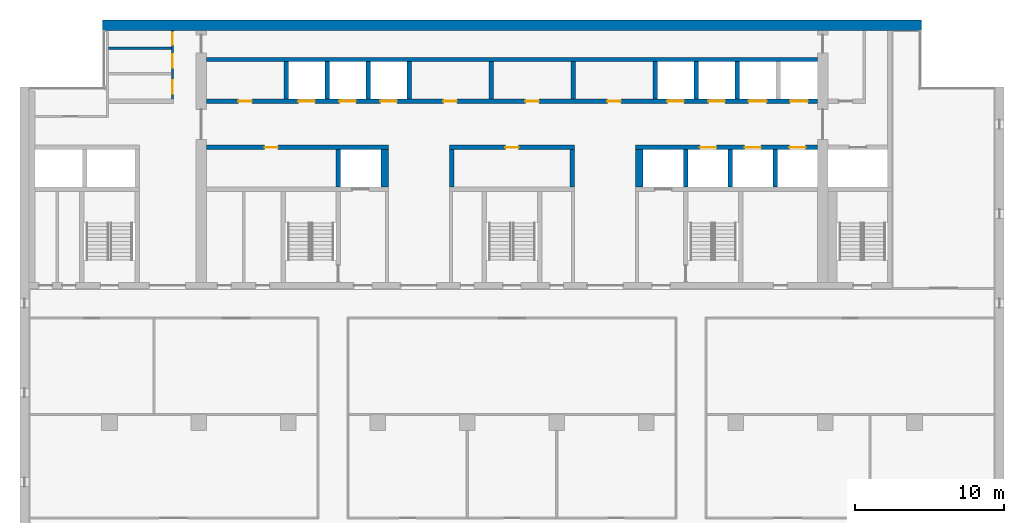
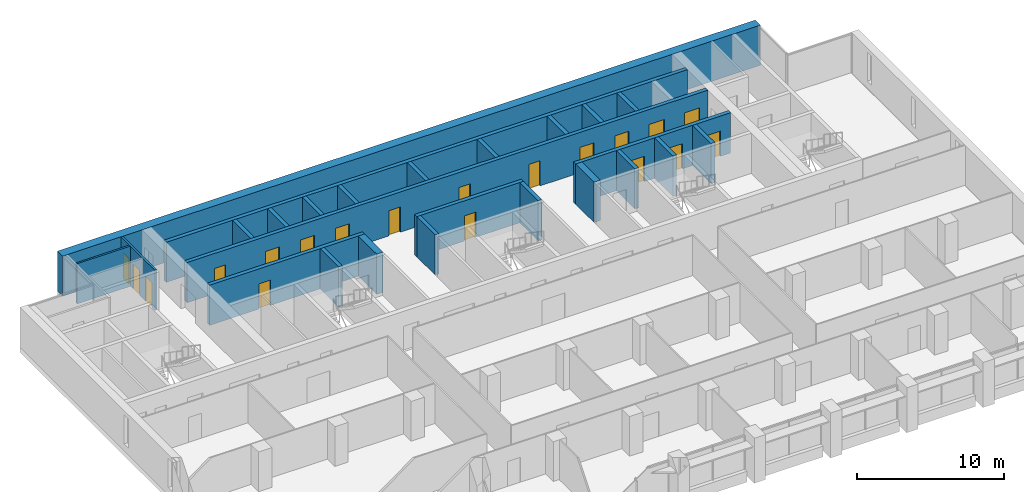
# One storey, part 11 of 17: 25 walls, 19 doors, 19 openings.
"""IFC4 building model written with IfcOpenShell, lengths in metres."""

from ifc_helpers import new_model, si_unit, direction, frame, frame_2d, origin, place, context, subcontext, project, spatial, rectangle, extrude, material, layer, layer_set, type_object, element, fill, save


model = new_model("IFC4")

# Units and contexts
model_context = context("Model", 3, precision=1e-05, world=origin(), true_north=direction((0.0, 1.0)))
body_context = subcontext(model_context, "Body", "Model", "MODEL_VIEW")
ifc_project = project(units=[si_unit("LENGTHUNIT", "METRE"), si_unit("AREAUNIT", "SQUARE_METRE"), si_unit("VOLUMEUNIT", "CUBIC_METRE"), si_unit("PLANEANGLEUNIT", "RADIAN"), si_unit("MASSUNIT", "GRAM", prefix="KILO")], contexts=[model_context])

# Site, building, storey
site_placement = place(None, origin())
site = spatial("IfcSite", under=ifc_project, at=site_placement, CompositionType="ELEMENT")
building_placement = place(site_placement, origin())
building = spatial("IfcBuilding", under=site, at=building_placement, Name="Calvaro Tower", CompositionType="ELEMENT")
storey_placement = place(building_placement, frame((0.0, 0.0, 204.25)))
storey = spatial("IfcBuildingStorey", under=building, at=storey_placement, Name="L51", CompositionType="ELEMENT", Elevation=204.25)

# Wall
ifc_material_1 = material(Name="Blockwork partition", Category="masonry")
ifc_layer_1 = layer(ifc_material_1, 0.14990234375)
ifc_layer_set_1 = layer_set([ifc_layer_1], Name="Blockwork partition")
wall_type_1 = type_object("IfcWallType", Name="Core partition 150 EI 60", PredefinedType="PARTITIONING", material=ifc_layer_set_1)
wall_1_placement = place(storey_placement, frame((11.949951171875, 44.10009765625, 0.0), z_axis=(0.0, 0.0, 1.0), x_axis=(1.0, 0.0, 0.0)))
element("IfcWall", 1, at=wall_1_placement, inside=storey, type_object=wall_type_1, Name="Core partition", PredefinedType="PARTITIONING", context=body_context, shape_type="SweptSolid", body=[
    extrude(rectangle(XDim=4.199951171875, YDim=0.14990234375, at=frame_2d((2.10009765625, 0.0))), origin(), (0.0, 0.0, 1.0), 3.35009765625),
])

# Wall, openings, doors
ifc_material_2 = material(Name="Blockwork partition", Category="masonry")
ifc_layer_2 = layer(ifc_material_2, 0.14990234375)
ifc_layer_set_2 = layer_set([ifc_layer_2], Name="Blockwork partition")
wall_type_2 = type_object("IfcWallType", Name="Core partition 150 REI 120", PredefinedType="PARTITIONING", material=ifc_layer_set_2)
wall_2_placement = place(storey_placement, frame((16.22509765625, 45.300048828125, 0.0), z_axis=(0.0, 0.0, 1.0), x_axis=(0.0, -1.0, 0.0)))
wall_2 = element("IfcWall", 2, at=wall_2_placement, inside=storey, type_object=wall_type_2, Name="Core partition", PredefinedType="PARTITIONING", context=body_context, shape_type="SweptSolid", body=[
    extrude(rectangle(XDim=4.60009765625, YDim=0.14990234375, at=frame_2d((2.300048828125, 0.0))), origin(), (0.0, 0.0, 1.0), 3.35009765625),
])
opening_1_placement = place(wall_2_placement, frame((3.33740234375, 0.0, 0.0)))
opening_1 = element("IfcOpeningElement", 3, at=opening_1_placement, cuts=wall_2, Name="Opening RD9", PredefinedType="OPENING", context=body_context, shape_type="SweptSolid", body=[
    extrude(rectangle(XDim=0.89990234375, YDim=2.10009765625, at=frame_2d((0.449951171875, 1.050048828125))), frame((0.0, 0.0849609375, 0.0), z_axis=(0.0, -1.0, 0.0), x_axis=(1.0, 0.0, 0.0)), (0.0, 0.0, 1.0), 0.169921875),
])
opening_2_placement = place(wall_2_placement, frame((1.60009765625, 0.0, 0.0)))
opening_2 = element("IfcOpeningElement", 4, at=opening_2_placement, cuts=wall_2, Name="Opening RD9", PredefinedType="OPENING", context=body_context, shape_type="SweptSolid", body=[
    extrude(rectangle(XDim=0.89990234375, YDim=2.10009765625, at=frame_2d((0.449951171875, 1.050048828125))), frame((0.0, 0.0849609375, 0.0), z_axis=(0.0, -1.0, 0.0), x_axis=(1.0, 0.0, 0.0)), (0.0, 0.0, 1.0), 0.169921875),
])
opening_3_placement = place(wall_2_placement, frame((0.16259765625, 0.0, 0.0)))
opening_3 = element("IfcOpeningElement", 5, at=opening_3_placement, cuts=wall_2, Name="Opening RD8C", PredefinedType="OPENING", context=body_context, shape_type="SweptSolid", body=[
    extrude(rectangle(XDim=0.800048828125, YDim=2.10009765625, at=frame_2d((0.39990234375, 1.050048828125))), frame((0.0, 0.0849609375, 0.0), z_axis=(0.0, -1.0, 0.0), x_axis=(1.0, 0.0, 0.0)), (0.0, 0.0, 1.0), 0.169921875),
])
ifc_material_3 = material(Name="Steel door set", Category="steel")
door_type_1 = type_object("IfcDoorType", Name="Room door 800 FD30", OperationType="SINGLE_SWING_LEFT", PredefinedType="DOOR", material=ifc_material_3)
door_1_placement = place(opening_3_placement, origin())
door_1 = element("IfcDoor", 6, at=door_1_placement, inside=storey, type_object=door_type_1, Name="Room door", OperationType="SINGLE_SWING_RIGHT", OverallHeight=2.10009765625, OverallWidth=0.800048828125, PredefinedType="DOOR", context=body_context, shape_type="SweptSolid", body=[
    extrude(rectangle(XDim=0.800048828125, YDim=2.10009765625, at=frame_2d((0.39990234375, 1.050048828125))), frame((0.0, 0.02490234375, 0.0), z_axis=(0.0, -1.0, 0.0), x_axis=(1.0, 0.0, 0.0)), (0.0, 0.0, 1.0), 0.050048828125),
])
fill(opening_3, door_1)
ifc_material_4 = material(Name="Steel door set", Category="steel")
door_type_2 = type_object("IfcDoorType", Name="Room door 900", OperationType="SINGLE_SWING_LEFT", PredefinedType="DOOR", material=ifc_material_4)
door_2_placement = place(opening_1_placement, origin())
door_2 = element("IfcDoor", 7, at=door_2_placement, inside=storey, type_object=door_type_2, Name="Room door", OperationType="SINGLE_SWING_RIGHT", OverallHeight=2.10009765625, OverallWidth=0.89990234375, PredefinedType="DOOR", context=body_context, shape_type="SweptSolid", body=[
    extrude(rectangle(XDim=0.89990234375, YDim=2.10009765625, at=frame_2d((0.449951171875, 1.050048828125))), frame((0.0, 0.02490234375, 0.0), z_axis=(0.0, -1.0, 0.0), x_axis=(1.0, 0.0, 0.0)), (0.0, 0.0, 1.0), 0.050048828125),
])
fill(opening_1, door_2)
door_3_placement = place(opening_2_placement, origin())
door_3 = element("IfcDoor", 8, at=door_3_placement, inside=storey, type_object=door_type_2, Name="Room door", OperationType="SINGLE_SWING_RIGHT", OverallHeight=2.10009765625, OverallWidth=0.89990234375, PredefinedType="DOOR", context=body_context, shape_type="SweptSolid", body=[
    extrude(rectangle(XDim=0.89990234375, YDim=2.10009765625, at=frame_2d((0.449951171875, 1.050048828125))), frame((0.0, 0.02490234375, 0.0), z_axis=(0.0, -1.0, 0.0), x_axis=(1.0, 0.0, 0.0)), (0.0, 0.0, 1.0), 0.050048828125),
])
fill(opening_2, door_3)

# Walls
ifc_material_5 = material(Name="Blockwork partition", Category="masonry")
ifc_layer_3 = layer(ifc_material_5, 0.300048828125)
ifc_layer_set_3 = layer_set([ifc_layer_3], Name="Blockwork partition")
wall_type_3 = type_object("IfcWallType", Name="Core partition 300 EI 60", PredefinedType="PARTITIONING", material=ifc_layer_set_3)
wall_3_placement = place(storey_placement, frame((37.60009765625, 40.699951171875, 0.0), z_axis=(0.0, 0.0, 1.0), x_axis=(0.0, 1.0, 0.0)))
element("IfcWall", 9, at=wall_3_placement, inside=storey, type_object=wall_type_3, Name="Core partition", PredefinedType="PARTITIONING", context=body_context, shape_type="SweptSolid", body=[
    extrude(rectangle(XDim=2.5, YDim=0.300048828125, at=frame_2d((1.25, 0.0))), origin(), (0.0, 0.0, 1.0), 3.35009765625),
])
ifc_material_6 = material(Name="Blockwork partition", Category="masonry")
ifc_layer_4 = layer(ifc_material_6, 0.300048828125)
ifc_layer_set_4 = layer_set([ifc_layer_4], Name="Blockwork partition")
wall_type_4 = type_object("IfcWallType", Name="Core partition 300 REI 120", PredefinedType="PARTITIONING", material=ifc_layer_set_4)
wall_4_placement = place(storey_placement, frame((43.10009765625, 40.699951171875, 0.0), z_axis=(0.0, 0.0, 1.0), x_axis=(0.0, 1.0, 0.0)))
element("IfcWall", 10, at=wall_4_placement, inside=storey, type_object=wall_type_4, Name="Core partition", PredefinedType="PARTITIONING", context=body_context, shape_type="SweptSolid", body=[
    extrude(rectangle(XDim=2.5, YDim=0.300048828125, at=frame_2d((1.25, 0.0))), origin(), (0.0, 0.0, 1.0), 3.35009765625),
])

# Wall, opening, door
ifc_material_7 = material(Name="Concrete C50/60", Category="concrete")
ifc_layer_5 = layer(ifc_material_7, 0.300048828125)
ifc_layer_set_5 = layer_set([ifc_layer_5], Name="Concrete C50/60")
wall_type_5 = type_object("IfcWallType", Name="Core wall C50/60 300", PredefinedType="SHEAR", material=ifc_layer_set_5)
wall_5_placement = place(storey_placement, frame((30.699951171875, 37.449951171875, 0.0), z_axis=(0.0, 0.0, 1.0), x_axis=(-1.0, 0.0, 0.0)))
wall_5 = element("IfcWall", 11, at=wall_5_placement, inside=storey, type_object=wall_type_5, Name="Core wall, bay", PredefinedType="SHEAR", context=body_context, shape_type="SweptSolid", body=[
    extrude(rectangle(XDim=12.199951171875, YDim=0.300048828125, at=frame_2d((6.10009765625, 0.0))), origin(), (0.0, 0.0, 1.0), 3.35009765625),
])
opening_4_placement = place(wall_5_placement, frame((7.39990234375, 0.0, 0.0)))
opening_4 = element("IfcOpeningElement", 12, at=opening_4_placement, cuts=wall_5, Name="Opening RD9E", PredefinedType="OPENING", context=body_context, shape_type="SweptSolid", body=[
    extrude(rectangle(XDim=0.89990234375, YDim=2.10009765625, at=frame_2d((0.449951171875, 1.050048828125))), frame((0.0, 0.159912109375, 0.0), z_axis=(0.0, -1.0, 0.0), x_axis=(1.0, 0.0, 0.0)), (0.0, 0.0, 1.0), 0.320068359375),
])
ifc_material_8 = material(Name="Steel door set", Category="steel")
door_type_3 = type_object("IfcDoorType", Name="Room door 900 FD60", OperationType="SINGLE_SWING_LEFT", PredefinedType="DOOR", material=ifc_material_8)
door_4_placement = place(opening_4_placement, origin())
door_4 = element("IfcDoor", 13, at=door_4_placement, inside=storey, type_object=door_type_3, Name="Room door", OperationType="SINGLE_SWING_LEFT", OverallHeight=2.10009765625, OverallWidth=0.89990234375, PredefinedType="DOOR", context=body_context, shape_type="SweptSolid", body=[
    extrude(rectangle(XDim=0.89990234375, YDim=2.10009765625, at=frame_2d((0.449951171875, 1.050048828125))), frame((0.0, 0.02490234375, 0.0), z_axis=(0.0, -1.0, 0.0), x_axis=(1.0, 0.0, 0.0)), (0.0, 0.0, 1.0), 0.050048828125),
])
fill(opening_4, door_4)

wall_6_placement = place(storey_placement, frame((43.199951171875, 37.449951171875, 0.0), z_axis=(0.0, 0.0, 1.0), x_axis=(-1.0, 0.0, 0.0)))
wall_6 = element("IfcWall", 14, at=wall_6_placement, inside=storey, type_object=wall_type_5, Name="Core wall, bay", PredefinedType="SHEAR", context=body_context, shape_type="SweptSolid", body=[
    extrude(rectangle(XDim=8.39990234375, YDim=0.300048828125, at=frame_2d((4.199951171875, 0.0))), origin(), (0.0, 0.0, 1.0), 3.35009765625),
])
opening_5_placement = place(wall_6_placement, frame((3.75, 0.0, 0.0)))
opening_5 = element("IfcOpeningElement", 15, at=opening_5_placement, cuts=wall_6, Name="Opening RD9C", PredefinedType="OPENING", context=body_context, shape_type="SweptSolid", body=[
    extrude(rectangle(XDim=0.89990234375, YDim=2.10009765625, at=frame_2d((0.449951171875, 1.050048828125))), frame((0.0, 0.159912109375, 0.0), z_axis=(0.0, -1.0, 0.0), x_axis=(1.0, 0.0, 0.0)), (0.0, 0.0, 1.0), 0.320068359375),
])
ifc_material_9 = material(Name="Steel door set", Category="steel")
door_type_4 = type_object("IfcDoorType", Name="Room door 900 FD30", OperationType="SINGLE_SWING_LEFT", PredefinedType="DOOR", material=ifc_material_9)
door_5_placement = place(opening_5_placement, origin())
door_5 = element("IfcDoor", 16, at=door_5_placement, inside=storey, type_object=door_type_4, Name="Room door", OperationType="SINGLE_SWING_RIGHT", OverallHeight=2.10009765625, OverallWidth=0.89990234375, PredefinedType="DOOR", context=body_context, shape_type="SweptSolid", body=[
    extrude(rectangle(XDim=0.89990234375, YDim=2.10009765625, at=frame_2d((0.449951171875, 1.050048828125))), frame((0.0, 0.02490234375, 0.0), z_axis=(0.0, -1.0, 0.0), x_axis=(1.0, 0.0, 0.0)), (0.0, 0.0, 1.0), 0.050048828125),
])
fill(opening_5, door_5)

# Wall, openings, doors
wall_7_placement = place(storey_placement, frame((47.300048828125, 37.449951171875, 0.0), z_axis=(0.0, 0.0, 1.0), x_axis=(1.0, 0.0, 0.0)))
wall_7 = element("IfcWall", 17, at=wall_7_placement, inside=storey, type_object=wall_type_5, Name="Core wall, lift shaft", PredefinedType="SHEAR", context=body_context, shape_type="SweptSolid", body=[
    extrude(rectangle(XDim=12.199951171875, YDim=0.300048828125, at=frame_2d((6.10009765625, 0.0))), origin(), (0.0, 0.0, 1.0), 3.35009765625),
])
opening_6_placement = place(wall_7_placement, frame((4.300048828125, 0.0, 0.0)))
opening_6 = element("IfcOpeningElement", 18, at=opening_6_placement, cuts=wall_7, Name="Opening HR1", PredefinedType="OPENING", context=body_context, shape_type="SweptSolid", body=[
    extrude(rectangle(XDim=1.10009765625, YDim=2.10009765625, at=frame_2d((0.550048828125, 1.050048828125))), frame((0.0, 0.159912109375, 0.0), z_axis=(0.0, -1.0, 0.0), x_axis=(1.0, 0.0, 0.0)), (0.0, 0.0, 1.0), 0.320068359375),
])
opening_7_placement = place(wall_7_placement, frame((7.300048828125, 0.0, 0.0)))
opening_7 = element("IfcOpeningElement", 19, at=opening_7_placement, cuts=wall_7, Name="Opening HR2", PredefinedType="OPENING", context=body_context, shape_type="SweptSolid", body=[
    extrude(rectangle(XDim=1.10009765625, YDim=2.10009765625, at=frame_2d((0.550048828125, 1.050048828125))), frame((0.0, 0.159912109375, 0.0), z_axis=(0.0, -1.0, 0.0), x_axis=(1.0, 0.0, 0.0)), (0.0, 0.0, 1.0), 0.320068359375),
])
opening_8_placement = place(wall_7_placement, frame((10.300048828125, 0.0, 0.0)))
opening_8 = element("IfcOpeningElement", 20, at=opening_8_placement, cuts=wall_7, Name="Opening HR3", PredefinedType="OPENING", context=body_context, shape_type="SweptSolid", body=[
    extrude(rectangle(XDim=1.10009765625, YDim=2.10009765625, at=frame_2d((0.550048828125, 1.050048828125))), frame((0.0, 0.159912109375, 0.0), z_axis=(0.0, -1.0, 0.0), x_axis=(1.0, 0.0, 0.0)), (0.0, 0.0, 1.0), 0.320068359375),
])
ifc_material_10 = material(Name="Stainless steel", Category="steel")
door_type_5 = type_object("IfcDoorType", Name="Landing door 1100 E 60", OperationType="SLIDING_TO_LEFT", PredefinedType="DOOR", material=ifc_material_10)
door_6_placement = place(opening_6_placement, origin())
door_6 = element("IfcDoor", 21, at=door_6_placement, inside=storey, type_object=door_type_5, Name="Landing door HR1", OperationType="SLIDING_TO_LEFT", OverallHeight=2.10009765625, OverallWidth=1.10009765625, PredefinedType="DOOR", context=body_context, shape_type="SweptSolid", body=[
    extrude(rectangle(XDim=1.10009765625, YDim=2.10009765625, at=frame_2d((0.550048828125, 1.050048828125))), frame((0.0, 0.02490234375, 0.0), z_axis=(0.0, -1.0, 0.0), x_axis=(1.0, 0.0, 0.0)), (0.0, 0.0, 1.0), 0.050048828125),
])
fill(opening_6, door_6)
door_7_placement = place(opening_7_placement, origin())
door_7 = element("IfcDoor", 22, at=door_7_placement, inside=storey, type_object=door_type_5, Name="Landing door HR2", OperationType="SLIDING_TO_LEFT", OverallHeight=2.10009765625, OverallWidth=1.10009765625, PredefinedType="DOOR", context=body_context, shape_type="SweptSolid", body=[
    extrude(rectangle(XDim=1.10009765625, YDim=2.10009765625, at=frame_2d((0.550048828125, 1.050048828125))), frame((0.0, 0.02490234375, 0.0), z_axis=(0.0, -1.0, 0.0), x_axis=(1.0, 0.0, 0.0)), (0.0, 0.0, 1.0), 0.050048828125),
])
fill(opening_7, door_7)
door_8_placement = place(opening_8_placement, origin())
door_8 = element("IfcDoor", 23, at=door_8_placement, inside=storey, type_object=door_type_5, Name="Landing door HR3", OperationType="SLIDING_TO_LEFT", OverallHeight=2.10009765625, OverallWidth=1.10009765625, PredefinedType="DOOR", context=body_context, shape_type="SweptSolid", body=[
    extrude(rectangle(XDim=1.10009765625, YDim=2.10009765625, at=frame_2d((0.550048828125, 1.050048828125))), frame((0.0, 0.02490234375, 0.0), z_axis=(0.0, -1.0, 0.0), x_axis=(1.0, 0.0, 0.0)), (0.0, 0.0, 1.0), 0.050048828125),
])
fill(opening_8, door_8)

# Walls
for number, where, z_axis, x_axis, name in (
    (24, (27.35009765625, 34.800048828125, 0.0), (0.0, 0.0, 1.0), (0.0, 1.0, 0.0), "Core wall, lift shaft"),
    (25, (34.949951171875, 34.800048828125, 0.0), (0.0, 0.0, 1.0), (0.0, 1.0, 0.0), "Core wall, lift shaft"),
    (26, (43.050048828125, 34.800048828125, 0.0), (0.0, 0.0, 1.0), (0.0, 1.0, 0.0), "Core wall, lift shaft"),
    (27, (50.64990234375, 34.800048828125, 0.0), (0.0, 0.0, 1.0), (0.0, 1.0, 0.0), "Core wall, lift shaft"),
):
    element("IfcWall", number, at=place(storey_placement, frame(where, z_axis=z_axis, x_axis=x_axis)), inside=storey, type_object=wall_type_5, Name=name, PredefinedType="SHEAR", context=body_context, shape_type="SweptSolid", body=[
        extrude(rectangle(XDim=2.5, YDim=0.300048828125, at=frame_2d((1.25, 0.0))), origin(), (0.0, 0.0, 1.0), 3.35009765625),
    ])

# Wall, openings, doors
wall_8_placement = place(storey_placement, frame((18.5, 40.550048828125, 0.0), z_axis=(0.0, 0.0, 1.0), x_axis=(1.0, 0.0, 0.0)))
wall_8 = element("IfcWall", 28, at=wall_8_placement, inside=storey, type_object=wall_type_5, Name="Core wall, bay", PredefinedType="SHEAR", context=body_context, shape_type="SweptSolid", body=[
    extrude(rectangle(XDim=41.0, YDim=0.300048828125, at=frame_2d((20.5, 0.0))), origin(), (0.0, 0.0, 1.0), 3.35009765625),
])
opening_9_placement = place(wall_8_placement, frame((2.14990234375, 0.0, 0.0)))
opening_9 = element("IfcOpeningElement", 29, at=opening_9_placement, cuts=wall_8, Name="Opening RD9C", PredefinedType="OPENING", context=body_context, shape_type="SweptSolid", body=[
    extrude(rectangle(XDim=0.89990234375, YDim=2.10009765625, at=frame_2d((0.449951171875, 1.050048828125))), frame((0.0, 0.159912109375, 0.0), z_axis=(0.0, -1.0, 0.0), x_axis=(1.0, 0.0, 0.0)), (0.0, 0.0, 1.0), 0.320068359375),
])
opening_10_placement = place(wall_8_placement, frame((15.89990234375, 0.0, 0.0)))
opening_10 = element("IfcOpeningElement", 30, at=opening_10_placement, cuts=wall_8, Name="Opening RD9E", PredefinedType="OPENING", context=body_context, shape_type="SweptSolid", body=[
    extrude(rectangle(XDim=0.89990234375, YDim=2.10009765625, at=frame_2d((0.449951171875, 1.050048828125))), frame((0.0, 0.159912109375, 0.0), z_axis=(0.0, -1.0, 0.0), x_axis=(1.0, 0.0, 0.0)), (0.0, 0.0, 1.0), 0.320068359375),
])
opening_11_placement = place(wall_8_placement, frame((21.39990234375, 0.0, 0.0)))
opening_11 = element("IfcOpeningElement", 31, at=opening_11_placement, cuts=wall_8, Name="Opening RD9C", PredefinedType="OPENING", context=body_context, shape_type="SweptSolid", body=[
    extrude(rectangle(XDim=0.89990234375, YDim=2.10009765625, at=frame_2d((0.449951171875, 1.050048828125))), frame((0.0, 0.159912109375, 0.0), z_axis=(0.0, -1.0, 0.0), x_axis=(1.0, 0.0, 0.0)), (0.0, 0.0, 1.0), 0.320068359375),
])
opening_12_placement = place(wall_8_placement, frame((26.89990234375, 0.0, 0.0)))
opening_12 = element("IfcOpeningElement", 32, at=opening_12_placement, cuts=wall_8, Name="Opening RD9E", PredefinedType="OPENING", context=body_context, shape_type="SweptSolid", body=[
    extrude(rectangle(XDim=0.89990234375, YDim=2.10009765625, at=frame_2d((0.449951171875, 1.050048828125))), frame((0.0, 0.159912109375, 0.0), z_axis=(0.0, -1.0, 0.0), x_axis=(1.0, 0.0, 0.0)), (0.0, 0.0, 1.0), 0.320068359375),
])
opening_13_placement = place(wall_8_placement, frame((6.175048828125, 0.0, 0.0)))
opening_13 = element("IfcOpeningElement", 33, at=opening_13_placement, cuts=wall_8, Name="Opening HR4", PredefinedType="OPENING", context=body_context, shape_type="SweptSolid", body=[
    extrude(rectangle(XDim=1.10009765625, YDim=2.10009765625, at=frame_2d((0.550048828125, 1.050048828125))), frame((0.0, 0.159912109375, 0.0), z_axis=(0.0, -1.0, 0.0), x_axis=(1.0, 0.0, 0.0)), (0.0, 0.0, 1.0), 0.320068359375),
])
opening_14_placement = place(wall_8_placement, frame((8.925048828125, 0.0, 0.0)))
opening_14 = element("IfcOpeningElement", 34, at=opening_14_placement, cuts=wall_8, Name="Opening HR5", PredefinedType="OPENING", context=body_context, shape_type="SweptSolid", body=[
    extrude(rectangle(XDim=1.10009765625, YDim=2.10009765625, at=frame_2d((0.550048828125, 1.050048828125))), frame((0.0, 0.159912109375, 0.0), z_axis=(0.0, -1.0, 0.0), x_axis=(1.0, 0.0, 0.0)), (0.0, 0.0, 1.0), 0.320068359375),
])
opening_15_placement = place(wall_8_placement, frame((11.675048828125, 0.0, 0.0)))
opening_15 = element("IfcOpeningElement", 35, at=opening_15_placement, cuts=wall_8, Name="Opening HR6", PredefinedType="OPENING", context=body_context, shape_type="SweptSolid", body=[
    extrude(rectangle(XDim=1.10009765625, YDim=2.10009765625, at=frame_2d((0.550048828125, 1.050048828125))), frame((0.0, 0.159912109375, 0.0), z_axis=(0.0, -1.0, 0.0), x_axis=(1.0, 0.0, 0.0)), (0.0, 0.0, 1.0), 0.320068359375),
])
opening_16_placement = place(wall_8_placement, frame((30.925048828125, 0.0, 0.0)))
opening_16 = element("IfcOpeningElement", 36, at=opening_16_placement, cuts=wall_8, Name="Opening HR7", PredefinedType="OPENING", context=body_context, shape_type="SweptSolid", body=[
    extrude(rectangle(XDim=1.10009765625, YDim=2.10009765625, at=frame_2d((0.550048828125, 1.050048828125))), frame((0.0, 0.159912109375, 0.0), z_axis=(0.0, -1.0, 0.0), x_axis=(1.0, 0.0, 0.0)), (0.0, 0.0, 1.0), 0.320068359375),
])
opening_17_placement = place(wall_8_placement, frame((33.675048828125, 0.0, 0.0)))
opening_17 = element("IfcOpeningElement", 37, at=opening_17_placement, cuts=wall_8, Name="Opening HR8", PredefinedType="OPENING", context=body_context, shape_type="SweptSolid", body=[
    extrude(rectangle(XDim=1.10009765625, YDim=2.10009765625, at=frame_2d((0.550048828125, 1.050048828125))), frame((0.0, 0.159912109375, 0.0), z_axis=(0.0, -1.0, 0.0), x_axis=(1.0, 0.0, 0.0)), (0.0, 0.0, 1.0), 0.320068359375),
])
opening_18_placement = place(wall_8_placement, frame((36.375, 0.0, 0.0)))
opening_18 = element("IfcOpeningElement", 38, at=opening_18_placement, cuts=wall_8, Name="Opening SV1", PredefinedType="OPENING", context=body_context, shape_type="SweptSolid", body=[
    extrude(rectangle(XDim=1.199951171875, YDim=2.10009765625, at=frame_2d((0.60009765625, 1.050048828125))), frame((0.0, 0.159912109375, 0.0), z_axis=(0.0, -1.0, 0.0), x_axis=(1.0, 0.0, 0.0)), (0.0, 0.0, 1.0), 0.320068359375),
])
opening_19_placement = place(wall_8_placement, frame((39.14990234375, 0.0, 0.0)))
opening_19 = element("IfcOpeningElement", 39, at=opening_19_placement, cuts=wall_8, Name="Opening SV2", PredefinedType="OPENING", context=body_context, shape_type="SweptSolid", body=[
    extrude(rectangle(XDim=1.199951171875, YDim=2.10009765625, at=frame_2d((0.60009765625, 1.050048828125))), frame((0.0, 0.159912109375, 0.0), z_axis=(0.0, -1.0, 0.0), x_axis=(1.0, 0.0, 0.0)), (0.0, 0.0, 1.0), 0.320068359375),
])
door_9_placement = place(opening_13_placement, origin())
door_9 = element("IfcDoor", 40, at=door_9_placement, inside=storey, type_object=door_type_5, Name="Landing door HR4", OperationType="SLIDING_TO_LEFT", OverallHeight=2.10009765625, OverallWidth=1.10009765625, PredefinedType="DOOR", context=body_context, shape_type="SweptSolid", body=[
    extrude(rectangle(XDim=1.10009765625, YDim=2.10009765625, at=frame_2d((0.550048828125, 1.050048828125))), frame((0.0, 0.02490234375, 0.0), z_axis=(0.0, -1.0, 0.0), x_axis=(1.0, 0.0, 0.0)), (0.0, 0.0, 1.0), 0.050048828125),
])
fill(opening_13, door_9)
door_10_placement = place(opening_14_placement, origin())
door_10 = element("IfcDoor", 41, at=door_10_placement, inside=storey, type_object=door_type_5, Name="Landing door HR5", OperationType="SLIDING_TO_LEFT", OverallHeight=2.10009765625, OverallWidth=1.10009765625, PredefinedType="DOOR", context=body_context, shape_type="SweptSolid", body=[
    extrude(rectangle(XDim=1.10009765625, YDim=2.10009765625, at=frame_2d((0.550048828125, 1.050048828125))), frame((0.0, 0.02490234375, 0.0), z_axis=(0.0, -1.0, 0.0), x_axis=(1.0, 0.0, 0.0)), (0.0, 0.0, 1.0), 0.050048828125),
])
fill(opening_14, door_10)
door_11_placement = place(opening_15_placement, origin())
door_11 = element("IfcDoor", 42, at=door_11_placement, inside=storey, type_object=door_type_5, Name="Landing door HR6", OperationType="SLIDING_TO_LEFT", OverallHeight=2.10009765625, OverallWidth=1.10009765625, PredefinedType="DOOR", context=body_context, shape_type="SweptSolid", body=[
    extrude(rectangle(XDim=1.10009765625, YDim=2.10009765625, at=frame_2d((0.550048828125, 1.050048828125))), frame((0.0, 0.02490234375, 0.0), z_axis=(0.0, -1.0, 0.0), x_axis=(1.0, 0.0, 0.0)), (0.0, 0.0, 1.0), 0.050048828125),
])
fill(opening_15, door_11)
door_12_placement = place(opening_16_placement, origin())
door_12 = element("IfcDoor", 43, at=door_12_placement, inside=storey, type_object=door_type_5, Name="Landing door HR7", OperationType="SLIDING_TO_LEFT", OverallHeight=2.10009765625, OverallWidth=1.10009765625, PredefinedType="DOOR", context=body_context, shape_type="SweptSolid", body=[
    extrude(rectangle(XDim=1.10009765625, YDim=2.10009765625, at=frame_2d((0.550048828125, 1.050048828125))), frame((0.0, 0.02490234375, 0.0), z_axis=(0.0, -1.0, 0.0), x_axis=(1.0, 0.0, 0.0)), (0.0, 0.0, 1.0), 0.050048828125),
])
fill(opening_16, door_12)
door_13_placement = place(opening_17_placement, origin())
door_13 = element("IfcDoor", 44, at=door_13_placement, inside=storey, type_object=door_type_5, Name="Landing door HR8", OperationType="SLIDING_TO_LEFT", OverallHeight=2.10009765625, OverallWidth=1.10009765625, PredefinedType="DOOR", context=body_context, shape_type="SweptSolid", body=[
    extrude(rectangle(XDim=1.10009765625, YDim=2.10009765625, at=frame_2d((0.550048828125, 1.050048828125))), frame((0.0, 0.02490234375, 0.0), z_axis=(0.0, -1.0, 0.0), x_axis=(1.0, 0.0, 0.0)), (0.0, 0.0, 1.0), 0.050048828125),
])
fill(opening_17, door_13)
ifc_material_11 = material(Name="Stainless steel", Category="steel")
door_type_6 = type_object("IfcDoorType", Name="Landing door 1200 E 60", OperationType="SLIDING_TO_LEFT", PredefinedType="DOOR", material=ifc_material_11)
door_14_placement = place(opening_18_placement, origin())
door_14 = element("IfcDoor", 45, at=door_14_placement, inside=storey, type_object=door_type_6, Name="Landing door SV1", OperationType="SLIDING_TO_LEFT", OverallHeight=2.10009765625, OverallWidth=1.199951171875, PredefinedType="DOOR", context=body_context, shape_type="SweptSolid", body=[
    extrude(rectangle(XDim=1.199951171875, YDim=2.10009765625, at=frame_2d((0.60009765625, 1.050048828125))), frame((0.0, 0.02490234375, 0.0), z_axis=(0.0, -1.0, 0.0), x_axis=(1.0, 0.0, 0.0)), (0.0, 0.0, 1.0), 0.050048828125),
])
fill(opening_18, door_14)
door_15_placement = place(opening_19_placement, origin())
door_15 = element("IfcDoor", 46, at=door_15_placement, inside=storey, type_object=door_type_6, Name="Landing door SV2", OperationType="SLIDING_TO_LEFT", OverallHeight=2.10009765625, OverallWidth=1.199951171875, PredefinedType="DOOR", context=body_context, shape_type="SweptSolid", body=[
    extrude(rectangle(XDim=1.199951171875, YDim=2.10009765625, at=frame_2d((0.60009765625, 1.050048828125))), frame((0.0, 0.02490234375, 0.0), z_axis=(0.0, -1.0, 0.0), x_axis=(1.0, 0.0, 0.0)), (0.0, 0.0, 1.0), 0.050048828125),
])
fill(opening_19, door_15)
door_16_placement = place(opening_9_placement, origin())
door_16 = element("IfcDoor", 47, at=door_16_placement, inside=storey, type_object=door_type_4, Name="Room door", OperationType="SINGLE_SWING_RIGHT", OverallHeight=2.10009765625, OverallWidth=0.89990234375, PredefinedType="DOOR", context=body_context, shape_type="SweptSolid", body=[
    extrude(rectangle(XDim=0.89990234375, YDim=2.10009765625, at=frame_2d((0.449951171875, 1.050048828125))), frame((0.0, 0.02490234375, 0.0), z_axis=(0.0, -1.0, 0.0), x_axis=(1.0, 0.0, 0.0)), (0.0, 0.0, 1.0), 0.050048828125),
])
fill(opening_9, door_16)
door_17_placement = place(opening_11_placement, origin())
door_17 = element("IfcDoor", 48, at=door_17_placement, inside=storey, type_object=door_type_4, Name="Room door", OperationType="SINGLE_SWING_LEFT", OverallHeight=2.10009765625, OverallWidth=0.89990234375, PredefinedType="DOOR", context=body_context, shape_type="SweptSolid", body=[
    extrude(rectangle(XDim=0.89990234375, YDim=2.10009765625, at=frame_2d((0.449951171875, 1.050048828125))), frame((0.0, 0.02490234375, 0.0), z_axis=(0.0, -1.0, 0.0), x_axis=(1.0, 0.0, 0.0)), (0.0, 0.0, 1.0), 0.050048828125),
])
fill(opening_11, door_17)
door_18_placement = place(opening_10_placement, origin())
door_18 = element("IfcDoor", 49, at=door_18_placement, inside=storey, type_object=door_type_3, Name="Room door", OperationType="SINGLE_SWING_LEFT", OverallHeight=2.10009765625, OverallWidth=0.89990234375, PredefinedType="DOOR", context=body_context, shape_type="SweptSolid", body=[
    extrude(rectangle(XDim=0.89990234375, YDim=2.10009765625, at=frame_2d((0.449951171875, 1.050048828125))), frame((0.0, 0.02490234375, 0.0), z_axis=(0.0, -1.0, 0.0), x_axis=(1.0, 0.0, 0.0)), (0.0, 0.0, 1.0), 0.050048828125),
])
fill(opening_10, door_18)
door_19_placement = place(opening_12_placement, origin())
door_19 = element("IfcDoor", 50, at=door_19_placement, inside=storey, type_object=door_type_3, Name="Room door", OperationType="SINGLE_SWING_LEFT", OverallHeight=2.10009765625, OverallWidth=0.89990234375, PredefinedType="DOOR", context=body_context, shape_type="SweptSolid", body=[
    extrude(rectangle(XDim=0.89990234375, YDim=2.10009765625, at=frame_2d((0.449951171875, 1.050048828125))), frame((0.0, 0.02490234375, 0.0), z_axis=(0.0, -1.0, 0.0), x_axis=(1.0, 0.0, 0.0)), (0.0, 0.0, 1.0), 0.050048828125),
])
fill(opening_12, door_19)

# Walls
wall_9_placement = place(storey_placement, frame((18.5, 43.35009765625, 0.0), z_axis=(0.0, 0.0, 1.0), x_axis=(1.0, 0.0, 0.0)))
element("IfcWall", 51, at=wall_9_placement, inside=storey, type_object=wall_type_5, Name="Core wall, lift shaft", PredefinedType="SHEAR", context=body_context, shape_type="SweptSolid", body=[
    extrude(rectangle(XDim=41.0, YDim=0.300048828125, at=frame_2d((20.5, 0.0))), origin(), (0.0, 0.0, 1.0), 3.35009765625),
])
for number, where, z_axis, x_axis, name in (
    (52, (53.64990234375, 34.800048828125, 0.0), (0.0, 0.0, 1.0), (0.0, 1.0, 0.0), "Core wall, lift shaft"),
    (53, (56.64990234375, 34.800048828125, 0.0), (0.0, 0.0, 1.0), (0.0, 1.0, 0.0), "Core wall, lift shaft"),
    (54, (23.85009765625, 40.699951171875, 0.0), (0.0, 0.0, 1.0), (0.0, 1.0, 0.0), "Core wall, lift shaft"),
    (55, (26.60009765625, 40.699951171875, 0.0), (0.0, 0.0, 1.0), (0.0, 1.0, 0.0), "Core wall, lift shaft"),
    (56, (29.35009765625, 40.699951171875, 0.0), (0.0, 0.0, 1.0), (0.0, 1.0, 0.0), "Core wall, lift shaft"),
    (57, (32.10009765625, 40.699951171875, 0.0), (0.0, 0.0, 1.0), (0.0, 1.0, 0.0), "Core wall, lift shaft"),
    (58, (48.60009765625, 40.699951171875, 0.0), (0.0, 0.0, 1.0), (0.0, 1.0, 0.0), "Core wall, lift shaft"),
    (59, (51.35009765625, 40.699951171875, 0.0), (0.0, 0.0, 1.0), (0.0, 1.0, 0.0), "Core wall, lift shaft"),
    (60, (54.10009765625, 40.699951171875, 0.0), (0.0, 0.0, 1.0), (0.0, 1.0, 0.0), "Core wall, lift shaft"),
):
    element("IfcWall", number, at=place(storey_placement, frame(where, z_axis=z_axis, x_axis=x_axis)), inside=storey, type_object=wall_type_5, Name=name, PredefinedType="SHEAR", context=body_context, shape_type="SweptSolid", body=[
        extrude(rectangle(XDim=2.5, YDim=0.300048828125, at=frame_2d((1.25, 0.0))), origin(), (0.0, 0.0, 1.0), 3.35009765625),
    ])
ifc_material_12 = material(Name="Concrete C50/60", Category="concrete")
ifc_layer_6 = layer(ifc_material_12, 0.5)
ifc_layer_set_6 = layer_set([ifc_layer_6], Name="Concrete C50/60")
wall_type_6 = type_object("IfcWallType", Name="Core wall C50/60 500", PredefinedType="SHEAR", material=ifc_layer_set_6)
for number, where, z_axis, x_axis, name in (
    (61, (30.449951171875, 34.800048828125, 0.0), (0.0, 0.0, 1.0), (0.0, 1.0, 0.0), "Core wall, lift shaft"),
    (62, (47.550048828125, 34.800048828125, 0.0), (0.0, 0.0, 1.0), (0.0, 1.0, 0.0), "Core wall, lift shaft"),
):
    element("IfcWall", number, at=place(storey_placement, frame(where, z_axis=z_axis, x_axis=x_axis)), inside=storey, type_object=wall_type_6, Name=name, PredefinedType="SHEAR", context=body_context, shape_type="SweptSolid", body=[
        extrude(rectangle(XDim=2.5, YDim=0.5, at=frame_2d((1.25, 0.0))), origin(), (0.0, 0.0, 1.0), 3.35009765625),
    ])
ifc_material_13 = material(Name="Concrete C50/60", Category="concrete")
ifc_layer_7 = layer(ifc_material_13, 0.699951171875)
ifc_layer_set_7 = layer_set([ifc_layer_7], Name="Concrete C50/60")
wall_type_7 = type_object("IfcWallType", Name="Rear core wall 700 C50/60", PredefinedType="SHEAR", material=ifc_layer_set_7)
wall_10_placement = place(storey_placement, frame((11.550048828125, 45.64990234375, 0.0), z_axis=(0.0, 0.0, 1.0), x_axis=(1.0, 0.0, 0.0)))
element("IfcWall", 63, at=wall_10_placement, inside=storey, type_object=wall_type_7, Name="North core wall", PredefinedType="SHEAR", context=body_context, shape_type="SweptSolid", body=[
    extrude(rectangle(XDim=54.89990234375, YDim=0.699951171875, at=frame_2d((27.449951171875, 0.0))), origin(), (0.0, 0.0, 1.0), 3.35009765625),
])

save(model, "model.ifc")
